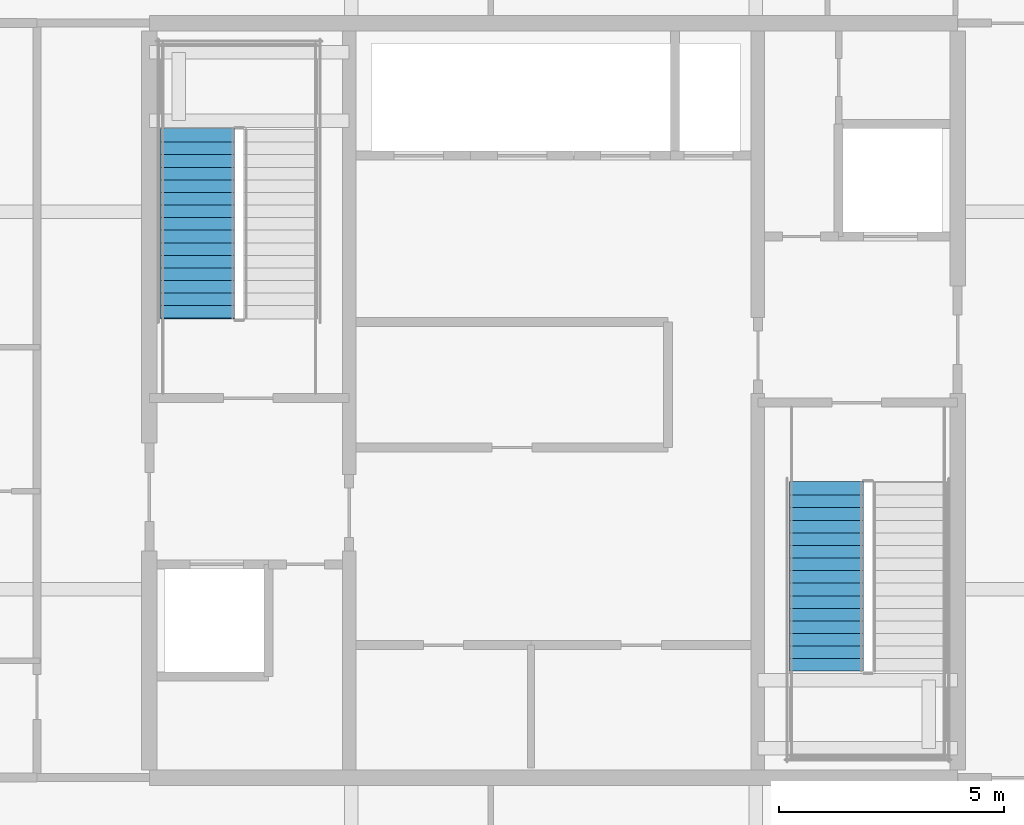
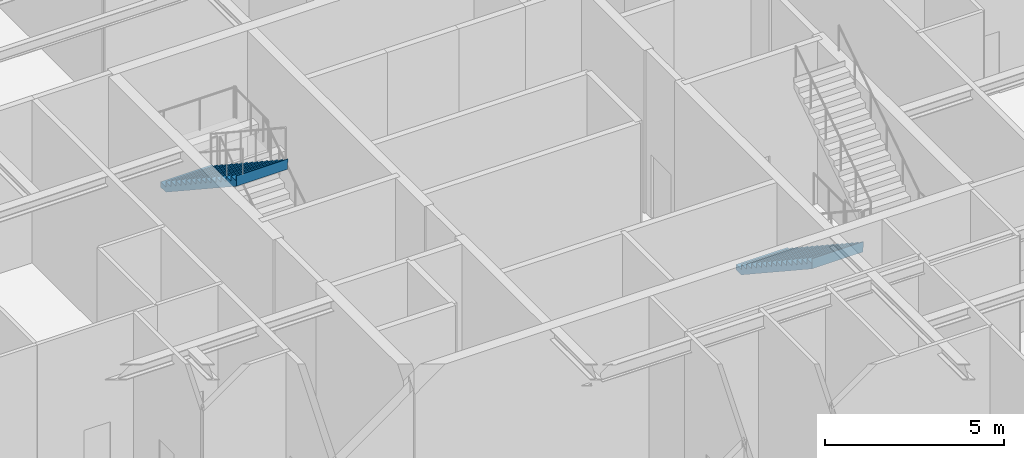
# One storey, part 31 of 38: 2 stair flights, 2 elements without a shape of their own.
"""IFC4 building model written with IfcOpenShell, lengths in metres."""

from ifc_helpers import new_model, si_unit, direction, frame, origin, place, context, subcontext, project, spatial, polygons, material, type_object, element, aggregate, save


model = new_model("IFC4")

# Units and contexts
model_context = context("Model", 3, precision=1e-05, world=origin(), true_north=direction((0.0, 1.0)))
body_context = subcontext(model_context, "Body", "Model", "MODEL_VIEW")
ifc_project = project(units=[si_unit("LENGTHUNIT", "METRE"), si_unit("AREAUNIT", "SQUARE_METRE"), si_unit("VOLUMEUNIT", "CUBIC_METRE"), si_unit("PLANEANGLEUNIT", "RADIAN"), si_unit("MASSUNIT", "GRAM", prefix="KILO")], contexts=[model_context])

# Site, building, storey
site_placement = place(None, origin())
site = spatial("IfcSite", under=ifc_project, at=site_placement, CompositionType="ELEMENT")
building_placement = place(site_placement, origin())
building = spatial("IfcBuilding", under=site, at=building_placement, Name="Serunith Strait Residences", CompositionType="ELEMENT")
storey_placement = place(building_placement, frame((0.0, 0.0, 353.85009765625)))
storey = spatial("IfcBuildingStorey", under=building, at=storey_placement, Name="L87", CompositionType="ELEMENT", Elevation=353.85009765625)

# Stair, stair flight
ifc_material = material(Name="Concrete C50/60", Category="concrete")
stair_type_1 = type_object("IfcStairType", Name="STR-CORE-1", PredefinedType="HALF_TURN_STAIR", material=ifc_material)
stair_1_placement = place(storey_placement, origin())
stair_1 = element("IfcStair", 1, at=stair_1_placement, inside=storey, type_object=stair_type_1, Name="L87 Protected Escape Stair ST-1", PredefinedType="HALF_TURN_STAIR")
stair_flight_type_1 = type_object("IfcStairFlightType", Name="FLT-CORE-1", PredefinedType="STRAIGHT", material=ifc_material)
stair_flight_1_placement = place(storey_placement, frame((24.47509765625, 31.22998046875, 2.949951171875), z_axis=(0.0, 0.0, 1.0), x_axis=(0.0, -1.0, 0.0)))
stair_flight_1 = element("IfcStairFlight", 2, at=stair_flight_1_placement, type_object=stair_flight_type_1, Name="ST-1 flight 2", NumberOfRisers=16, NumberOfTreads=15, PredefinedType="STRAIGHT", RiserHeight=0.184375, TreadLength=0.28, context=body_context, shape_type="Tessellation", body=[
    polygons([(-0.02001953125, -0.824951171875, 0.0), (-0.02001953125, -0.824951171875, 0.184326171875), (0.280029296875, -0.824951171875, 0.184326171875), (0.280029296875, -0.824951171875, 0.36865234375), (0.56005859375, -0.824951171875, 0.36865234375), (0.56005859375, -0.824951171875, 0.55322265625), (0.840087890625, -0.824951171875, 0.55322265625), (0.840087890625, -0.824951171875, 0.737548828125), (1.1201171875, -0.824951171875, 0.737548828125), (1.1201171875, -0.824951171875, 0.921875), (1.39990234375, -0.824951171875, 0.921875), (1.39990234375, -0.824951171875, 1.106201171875), (1.679931640625, -0.824951171875, 1.106201171875), (1.679931640625, -0.824951171875, 1.29052734375), (1.9599609375, -0.824951171875, 1.29052734375), (1.9599609375, -0.824951171875, 1.47509765625), (2.239990234375, -0.824951171875, 1.47509765625), (2.239990234375, -0.824951171875, 1.659423828125), (2.52001953125, -0.824951171875, 1.659423828125), (2.52001953125, -0.824951171875, 1.84375), (2.800048828125, -0.824951171875, 1.84375), (2.800048828125, -0.824951171875, 2.028076171875), (3.080078125, -0.824951171875, 2.028076171875), (3.080078125, -0.824951171875, 2.21240234375), (3.360107421875, -0.824951171875, 2.21240234375), (3.360107421875, -0.824951171875, 2.39697265625), (3.639892578125, -0.824951171875, 2.39697265625), (3.639892578125, -0.824951171875, 2.581298828125), (3.919921875, -0.824951171875, 2.581298828125), (3.919921875, -0.824951171875, 2.765625), (4.199951171875, -0.824951171875, 2.765625), (4.199951171875, -0.824951171875, 2.949951171875), (4.219970703125, -0.824951171875, 2.949951171875), (4.219970703125, -0.824951171875, 2.889892578125), (4.199951171875, -0.824951171875, 2.586181640625), (0.2724609375, -0.824951171875, 0.0), (-0.02001953125, -0.41259765625, 0.0), (-0.02001953125, -0.41259765625, 0.184326171875), (0.280029296875, -0.41259765625, 0.184326171875), (0.280029296875, -0.41259765625, 0.36865234375), (0.56005859375, -0.41259765625, 0.36865234375), (0.56005859375, -0.41259765625, 0.55322265625), (0.840087890625, -0.41259765625, 0.55322265625), (0.840087890625, -0.41259765625, 0.737548828125), (1.1201171875, -0.41259765625, 0.737548828125), (1.1201171875, -0.41259765625, 0.921875), (1.39990234375, -0.41259765625, 0.921875), (1.39990234375, -0.41259765625, 1.106201171875), (1.679931640625, -0.41259765625, 1.106201171875), (1.679931640625, -0.41259765625, 1.29052734375), (1.9599609375, -0.41259765625, 1.29052734375), (1.9599609375, -0.41259765625, 1.47509765625), (2.239990234375, -0.41259765625, 1.47509765625), (2.239990234375, -0.41259765625, 1.659423828125), (2.52001953125, -0.41259765625, 1.659423828125), (2.52001953125, -0.41259765625, 1.84375), (2.800048828125, -0.41259765625, 1.84375), (2.800048828125, -0.41259765625, 2.028076171875), (3.080078125, -0.41259765625, 2.028076171875), (3.080078125, -0.41259765625, 2.21240234375), (3.360107421875, -0.41259765625, 2.21240234375), (3.360107421875, -0.41259765625, 2.39697265625), (3.639892578125, -0.41259765625, 2.39697265625), (3.639892578125, -0.41259765625, 2.581298828125), (3.919921875, -0.41259765625, 2.581298828125), (3.919921875, -0.41259765625, 2.765625), (4.199951171875, -0.41259765625, 2.765625), (4.199951171875, -0.41259765625, 2.949951171875), (4.219970703125, -0.41259765625, 2.949951171875), (4.219970703125, -0.41259765625, 2.889892578125), (4.199951171875, -0.41259765625, 2.586181640625), (0.2724609375, -0.41259765625, 0.0), (-0.02001953125, 0.0, 0.0), (-0.02001953125, 0.0, 0.184326171875), (0.280029296875, 0.0, 0.184326171875), (0.280029296875, 0.0, 0.36865234375), (0.56005859375, 0.0, 0.36865234375), (0.56005859375, 0.0, 0.55322265625), (0.840087890625, 0.0, 0.55322265625), (0.840087890625, 0.0, 0.737548828125), (1.1201171875, 0.0, 0.737548828125), (1.1201171875, 0.0, 0.921875), (1.39990234375, 0.0, 0.921875), (1.39990234375, 0.0, 1.106201171875), (1.679931640625, 0.0, 1.106201171875), (1.679931640625, 0.0, 1.29052734375), (1.9599609375, 0.0, 1.29052734375), (1.9599609375, 0.0, 1.47509765625), (2.239990234375, 0.0, 1.47509765625), (2.239990234375, 0.0, 1.659423828125), (2.52001953125, 0.0, 1.659423828125), (2.52001953125, 0.0, 1.84375), (2.800048828125, 0.0, 1.84375), (2.800048828125, 0.0, 2.028076171875), (3.080078125, 0.0, 2.028076171875), (3.080078125, 0.0, 2.21240234375), (3.360107421875, 0.0, 2.21240234375), (3.360107421875, 0.0, 2.39697265625), (3.639892578125, 0.0, 2.39697265625), (3.639892578125, 0.0, 2.581298828125), (3.919921875, 0.0, 2.581298828125), (3.919921875, 0.0, 2.765625), (4.199951171875, 0.0, 2.765625), (4.199951171875, 0.0, 2.949951171875), (4.219970703125, 0.0, 2.949951171875), (4.219970703125, 0.0, 2.889892578125), (4.199951171875, 0.0, 2.586181640625), (0.2724609375, 0.0, 0.0), (-0.02001953125, 0.41259765625, 0.0), (-0.02001953125, 0.41259765625, 0.184326171875), (0.280029296875, 0.41259765625, 0.184326171875), (0.280029296875, 0.41259765625, 0.36865234375), (0.56005859375, 0.41259765625, 0.36865234375), (0.56005859375, 0.41259765625, 0.55322265625), (0.840087890625, 0.41259765625, 0.55322265625), (0.840087890625, 0.41259765625, 0.737548828125), (1.1201171875, 0.41259765625, 0.737548828125), (1.1201171875, 0.41259765625, 0.921875), (1.39990234375, 0.41259765625, 0.921875), (1.39990234375, 0.41259765625, 1.106201171875), (1.679931640625, 0.41259765625, 1.106201171875), (1.679931640625, 0.41259765625, 1.29052734375), (1.9599609375, 0.41259765625, 1.29052734375), (1.9599609375, 0.41259765625, 1.47509765625), (2.239990234375, 0.41259765625, 1.47509765625), (2.239990234375, 0.41259765625, 1.659423828125), (2.52001953125, 0.41259765625, 1.659423828125), (2.52001953125, 0.41259765625, 1.84375), (2.800048828125, 0.41259765625, 1.84375), (2.800048828125, 0.41259765625, 2.028076171875), (3.080078125, 0.41259765625, 2.028076171875), (3.080078125, 0.41259765625, 2.21240234375), (3.360107421875, 0.41259765625, 2.21240234375), (3.360107421875, 0.41259765625, 2.39697265625), (3.639892578125, 0.41259765625, 2.39697265625), (3.639892578125, 0.41259765625, 2.581298828125), (3.919921875, 0.41259765625, 2.581298828125), (3.919921875, 0.41259765625, 2.765625), (4.199951171875, 0.41259765625, 2.765625), (4.199951171875, 0.41259765625, 2.949951171875), (4.219970703125, 0.41259765625, 2.949951171875), (4.219970703125, 0.41259765625, 2.889892578125), (4.199951171875, 0.41259765625, 2.586181640625), (0.2724609375, 0.41259765625, 0.0), (-0.02001953125, 0.824951171875, 0.0), (-0.02001953125, 0.824951171875, 0.184326171875), (0.280029296875, 0.824951171875, 0.184326171875), (0.280029296875, 0.824951171875, 0.36865234375), (0.56005859375, 0.824951171875, 0.36865234375), (0.56005859375, 0.824951171875, 0.55322265625), (0.840087890625, 0.824951171875, 0.55322265625), (0.840087890625, 0.824951171875, 0.737548828125), (1.1201171875, 0.824951171875, 0.737548828125), (1.1201171875, 0.824951171875, 0.921875), (1.39990234375, 0.824951171875, 0.921875), (1.39990234375, 0.824951171875, 1.106201171875), (1.679931640625, 0.824951171875, 1.106201171875), (1.679931640625, 0.824951171875, 1.29052734375), (1.9599609375, 0.824951171875, 1.29052734375), (1.9599609375, 0.824951171875, 1.47509765625), (2.239990234375, 0.824951171875, 1.47509765625), (2.239990234375, 0.824951171875, 1.659423828125), (2.52001953125, 0.824951171875, 1.659423828125), (2.52001953125, 0.824951171875, 1.84375), (2.800048828125, 0.824951171875, 1.84375), (2.800048828125, 0.824951171875, 2.028076171875), (3.080078125, 0.824951171875, 2.028076171875), (3.080078125, 0.824951171875, 2.21240234375), (3.360107421875, 0.824951171875, 2.21240234375), (3.360107421875, 0.824951171875, 2.39697265625), (3.639892578125, 0.824951171875, 2.39697265625), (3.639892578125, 0.824951171875, 2.581298828125), (3.919921875, 0.824951171875, 2.581298828125), (3.919921875, 0.824951171875, 2.765625), (4.199951171875, 0.824951171875, 2.765625), (4.199951171875, 0.824951171875, 2.949951171875), (4.219970703125, 0.824951171875, 2.949951171875), (4.219970703125, 0.824951171875, 2.889892578125), (4.199951171875, 0.824951171875, 2.586181640625), (0.2724609375, 0.824951171875, 0.0)], [[[1, 2, 38, 37]], [[2, 3, 39, 38]], [[3, 4, 40, 39]], [[4, 5, 41, 40]], [[5, 6, 42, 41]], [[6, 7, 43, 42]], [[7, 8, 44, 43]], [[8, 9, 45, 44]], [[9, 10, 46, 45]], [[10, 11, 47, 46]], [[11, 12, 48, 47]], [[12, 13, 49, 48]], [[13, 14, 50, 49]], [[14, 15, 51, 50]], [[15, 16, 52, 51]], [[16, 17, 53, 52]], [[17, 18, 54, 53]], [[18, 19, 55, 54]], [[19, 20, 56, 55]], [[20, 21, 57, 56]], [[21, 22, 58, 57]], [[22, 23, 59, 58]], [[23, 24, 60, 59]], [[24, 25, 61, 60]], [[25, 26, 62, 61]], [[26, 27, 63, 62]], [[27, 28, 64, 63]], [[28, 29, 65, 64]], [[29, 30, 66, 65]], [[30, 31, 67, 66]], [[31, 32, 68, 67]], [[32, 33, 69, 68]], [[33, 34, 70, 69]], [[34, 35, 71, 70]], [[35, 36, 72, 71]], [[36, 1, 37, 72]], [[37, 38, 74, 73]], [[38, 39, 75, 74]], [[39, 40, 76, 75]], [[40, 41, 77, 76]], [[41, 42, 78, 77]], [[42, 43, 79, 78]], [[43, 44, 80, 79]], [[44, 45, 81, 80]], [[45, 46, 82, 81]], [[46, 47, 83, 82]], [[47, 48, 84, 83]], [[48, 49, 85, 84]], [[49, 50, 86, 85]], [[50, 51, 87, 86]], [[51, 52, 88, 87]], [[52, 53, 89, 88]], [[53, 54, 90, 89]], [[54, 55, 91, 90]], [[55, 56, 92, 91]], [[56, 57, 93, 92]], [[57, 58, 94, 93]], [[58, 59, 95, 94]], [[59, 60, 96, 95]], [[60, 61, 97, 96]], [[61, 62, 98, 97]], [[62, 63, 99, 98]], [[63, 64, 100, 99]], [[64, 65, 101, 100]], [[65, 66, 102, 101]], [[66, 67, 103, 102]], [[67, 68, 104, 103]], [[68, 69, 105, 104]], [[69, 70, 106, 105]], [[70, 71, 107, 106]], [[71, 72, 108, 107]], [[72, 37, 73, 108]], [[73, 74, 110, 109]], [[74, 75, 111, 110]], [[75, 76, 112, 111]], [[76, 77, 113, 112]], [[77, 78, 114, 113]], [[78, 79, 115, 114]], [[79, 80, 116, 115]], [[80, 81, 117, 116]], [[81, 82, 118, 117]], [[82, 83, 119, 118]], [[83, 84, 120, 119]], [[84, 85, 121, 120]], [[85, 86, 122, 121]], [[86, 87, 123, 122]], [[87, 88, 124, 123]], [[88, 89, 125, 124]], [[89, 90, 126, 125]], [[90, 91, 127, 126]], [[91, 92, 128, 127]], [[92, 93, 129, 128]], [[93, 94, 130, 129]], [[94, 95, 131, 130]], [[95, 96, 132, 131]], [[96, 97, 133, 132]], [[97, 98, 134, 133]], [[98, 99, 135, 134]], [[99, 100, 136, 135]], [[100, 101, 137, 136]], [[101, 102, 138, 137]], [[102, 103, 139, 138]], [[103, 104, 140, 139]], [[104, 105, 141, 140]], [[105, 106, 142, 141]], [[106, 107, 143, 142]], [[107, 108, 144, 143]], [[108, 73, 109, 144]], [[109, 110, 146, 145]], [[110, 111, 147, 146]], [[111, 112, 148, 147]], [[112, 113, 149, 148]], [[113, 114, 150, 149]], [[114, 115, 151, 150]], [[115, 116, 152, 151]], [[116, 117, 153, 152]], [[117, 118, 154, 153]], [[118, 119, 155, 154]], [[119, 120, 156, 155]], [[120, 121, 157, 156]], [[121, 122, 158, 157]], [[122, 123, 159, 158]], [[123, 124, 160, 159]], [[124, 125, 161, 160]], [[125, 126, 162, 161]], [[126, 127, 163, 162]], [[127, 128, 164, 163]], [[128, 129, 165, 164]], [[129, 130, 166, 165]], [[130, 131, 167, 166]], [[131, 132, 168, 167]], [[132, 133, 169, 168]], [[133, 134, 170, 169]], [[134, 135, 171, 170]], [[135, 136, 172, 171]], [[136, 137, 173, 172]], [[137, 138, 174, 173]], [[138, 139, 175, 174]], [[139, 140, 176, 175]], [[140, 141, 177, 176]], [[141, 142, 178, 177]], [[142, 143, 179, 178]], [[143, 144, 180, 179]], [[144, 109, 145, 180]], [[36, 35, 34, 33, 32, 31, 30, 29, 28, 27, 26, 25, 24, 23, 22, 21, 20, 19, 18, 17, 16, 15, 14, 13, 12, 11, 10, 9, 8, 7, 6, 5, 4, 3, 2, 1]], [[145, 146, 147, 148, 149, 150, 151, 152, 153, 154, 155, 156, 157, 158, 159, 160, 161, 162, 163, 164, 165, 166, 167, 168, 169, 170, 171, 172, 173, 174, 175, 176, 177, 178, 179, 180]]], closed=True),
])
aggregate(stair_1, [stair_flight_1])

stair_type_2 = type_object("IfcStairType", Name="STR-CORE-2", PredefinedType="HALF_TURN_STAIR", material=ifc_material)
stair_2_placement = place(storey_placement, origin())
stair_2 = element("IfcStair", 3, at=stair_2_placement, inside=storey, type_object=stair_type_2, Name="L87 Protected Escape Stair ST-2", PredefinedType="HALF_TURN_STAIR")
stair_flight_type_2 = type_object("IfcStairFlightType", Name="FLT-CORE-2", PredefinedType="STRAIGHT", material=ifc_material)
stair_flight_2_placement = place(storey_placement, frame((38.47509765625, 23.3701171875, 0.0), z_axis=(0.0, 0.0, 1.0), x_axis=(0.0, -1.0, 0.0)))
stair_flight_2 = element("IfcStairFlight", 4, at=stair_flight_2_placement, type_object=stair_flight_type_2, Name="ST-2 flight 1", NumberOfRisers=16, NumberOfTreads=15, PredefinedType="STRAIGHT", RiserHeight=0.184375, TreadLength=0.28, context=body_context, shape_type="Tessellation", body=[
    polygons([(-0.02001953125, -0.824951171875, 0.0), (-0.02001953125, -0.824951171875, 0.184326171875), (0.280029296875, -0.824951171875, 0.184326171875), (0.280029296875, -0.824951171875, 0.36865234375), (0.56005859375, -0.824951171875, 0.36865234375), (0.56005859375, -0.824951171875, 0.55322265625), (0.840087890625, -0.824951171875, 0.55322265625), (0.840087890625, -0.824951171875, 0.737548828125), (1.1201171875, -0.824951171875, 0.737548828125), (1.1201171875, -0.824951171875, 0.921875), (1.39990234375, -0.824951171875, 0.921875), (1.39990234375, -0.824951171875, 1.106201171875), (1.679931640625, -0.824951171875, 1.106201171875), (1.679931640625, -0.824951171875, 1.29052734375), (1.9599609375, -0.824951171875, 1.29052734375), (1.9599609375, -0.824951171875, 1.47509765625), (2.239990234375, -0.824951171875, 1.47509765625), (2.239990234375, -0.824951171875, 1.659423828125), (2.52001953125, -0.824951171875, 1.659423828125), (2.52001953125, -0.824951171875, 1.84375), (2.800048828125, -0.824951171875, 1.84375), (2.800048828125, -0.824951171875, 2.028076171875), (3.080078125, -0.824951171875, 2.028076171875), (3.080078125, -0.824951171875, 2.21240234375), (3.360107421875, -0.824951171875, 2.21240234375), (3.360107421875, -0.824951171875, 2.39697265625), (3.639892578125, -0.824951171875, 2.39697265625), (3.639892578125, -0.824951171875, 2.581298828125), (3.919921875, -0.824951171875, 2.581298828125), (3.919921875, -0.824951171875, 2.765625), (4.199951171875, -0.824951171875, 2.765625), (4.199951171875, -0.824951171875, 2.949951171875), (4.219970703125, -0.824951171875, 2.949951171875), (4.219970703125, -0.824951171875, 2.889892578125), (4.199951171875, -0.824951171875, 2.586181640625), (0.2724609375, -0.824951171875, 0.0), (-0.02001953125, -0.41259765625, 0.0), (-0.02001953125, -0.41259765625, 0.184326171875), (0.280029296875, -0.41259765625, 0.184326171875), (0.280029296875, -0.41259765625, 0.36865234375), (0.56005859375, -0.41259765625, 0.36865234375), (0.56005859375, -0.41259765625, 0.55322265625), (0.840087890625, -0.41259765625, 0.55322265625), (0.840087890625, -0.41259765625, 0.737548828125), (1.1201171875, -0.41259765625, 0.737548828125), (1.1201171875, -0.41259765625, 0.921875), (1.39990234375, -0.41259765625, 0.921875), (1.39990234375, -0.41259765625, 1.106201171875), (1.679931640625, -0.41259765625, 1.106201171875), (1.679931640625, -0.41259765625, 1.29052734375), (1.9599609375, -0.41259765625, 1.29052734375), (1.9599609375, -0.41259765625, 1.47509765625), (2.239990234375, -0.41259765625, 1.47509765625), (2.239990234375, -0.41259765625, 1.659423828125), (2.52001953125, -0.41259765625, 1.659423828125), (2.52001953125, -0.41259765625, 1.84375), (2.800048828125, -0.41259765625, 1.84375), (2.800048828125, -0.41259765625, 2.028076171875), (3.080078125, -0.41259765625, 2.028076171875), (3.080078125, -0.41259765625, 2.21240234375), (3.360107421875, -0.41259765625, 2.21240234375), (3.360107421875, -0.41259765625, 2.39697265625), (3.639892578125, -0.41259765625, 2.39697265625), (3.639892578125, -0.41259765625, 2.581298828125), (3.919921875, -0.41259765625, 2.581298828125), (3.919921875, -0.41259765625, 2.765625), (4.199951171875, -0.41259765625, 2.765625), (4.199951171875, -0.41259765625, 2.949951171875), (4.219970703125, -0.41259765625, 2.949951171875), (4.219970703125, -0.41259765625, 2.889892578125), (4.199951171875, -0.41259765625, 2.586181640625), (0.2724609375, -0.41259765625, 0.0), (-0.02001953125, 0.0, 0.0), (-0.02001953125, 0.0, 0.184326171875), (0.280029296875, 0.0, 0.184326171875), (0.280029296875, 0.0, 0.36865234375), (0.56005859375, 0.0, 0.36865234375), (0.56005859375, 0.0, 0.55322265625), (0.840087890625, 0.0, 0.55322265625), (0.840087890625, 0.0, 0.737548828125), (1.1201171875, 0.0, 0.737548828125), (1.1201171875, 0.0, 0.921875), (1.39990234375, 0.0, 0.921875), (1.39990234375, 0.0, 1.106201171875), (1.679931640625, 0.0, 1.106201171875), (1.679931640625, 0.0, 1.29052734375), (1.9599609375, 0.0, 1.29052734375), (1.9599609375, 0.0, 1.47509765625), (2.239990234375, 0.0, 1.47509765625), (2.239990234375, 0.0, 1.659423828125), (2.52001953125, 0.0, 1.659423828125), (2.52001953125, 0.0, 1.84375), (2.800048828125, 0.0, 1.84375), (2.800048828125, 0.0, 2.028076171875), (3.080078125, 0.0, 2.028076171875), (3.080078125, 0.0, 2.21240234375), (3.360107421875, 0.0, 2.21240234375), (3.360107421875, 0.0, 2.39697265625), (3.639892578125, 0.0, 2.39697265625), (3.639892578125, 0.0, 2.581298828125), (3.919921875, 0.0, 2.581298828125), (3.919921875, 0.0, 2.765625), (4.199951171875, 0.0, 2.765625), (4.199951171875, 0.0, 2.949951171875), (4.219970703125, 0.0, 2.949951171875), (4.219970703125, 0.0, 2.889892578125), (4.199951171875, 0.0, 2.586181640625), (0.2724609375, 0.0, 0.0), (-0.02001953125, 0.41259765625, 0.0), (-0.02001953125, 0.41259765625, 0.184326171875), (0.280029296875, 0.41259765625, 0.184326171875), (0.280029296875, 0.41259765625, 0.36865234375), (0.56005859375, 0.41259765625, 0.36865234375), (0.56005859375, 0.41259765625, 0.55322265625), (0.840087890625, 0.41259765625, 0.55322265625), (0.840087890625, 0.41259765625, 0.737548828125), (1.1201171875, 0.41259765625, 0.737548828125), (1.1201171875, 0.41259765625, 0.921875), (1.39990234375, 0.41259765625, 0.921875), (1.39990234375, 0.41259765625, 1.106201171875), (1.679931640625, 0.41259765625, 1.106201171875), (1.679931640625, 0.41259765625, 1.29052734375), (1.9599609375, 0.41259765625, 1.29052734375), (1.9599609375, 0.41259765625, 1.47509765625), (2.239990234375, 0.41259765625, 1.47509765625), (2.239990234375, 0.41259765625, 1.659423828125), (2.52001953125, 0.41259765625, 1.659423828125), (2.52001953125, 0.41259765625, 1.84375), (2.800048828125, 0.41259765625, 1.84375), (2.800048828125, 0.41259765625, 2.028076171875), (3.080078125, 0.41259765625, 2.028076171875), (3.080078125, 0.41259765625, 2.21240234375), (3.360107421875, 0.41259765625, 2.21240234375), (3.360107421875, 0.41259765625, 2.39697265625), (3.639892578125, 0.41259765625, 2.39697265625), (3.639892578125, 0.41259765625, 2.581298828125), (3.919921875, 0.41259765625, 2.581298828125), (3.919921875, 0.41259765625, 2.765625), (4.199951171875, 0.41259765625, 2.765625), (4.199951171875, 0.41259765625, 2.949951171875), (4.219970703125, 0.41259765625, 2.949951171875), (4.219970703125, 0.41259765625, 2.889892578125), (4.199951171875, 0.41259765625, 2.586181640625), (0.2724609375, 0.41259765625, 0.0), (-0.02001953125, 0.824951171875, 0.0), (-0.02001953125, 0.824951171875, 0.184326171875), (0.280029296875, 0.824951171875, 0.184326171875), (0.280029296875, 0.824951171875, 0.36865234375), (0.56005859375, 0.824951171875, 0.36865234375), (0.56005859375, 0.824951171875, 0.55322265625), (0.840087890625, 0.824951171875, 0.55322265625), (0.840087890625, 0.824951171875, 0.737548828125), (1.1201171875, 0.824951171875, 0.737548828125), (1.1201171875, 0.824951171875, 0.921875), (1.39990234375, 0.824951171875, 0.921875), (1.39990234375, 0.824951171875, 1.106201171875), (1.679931640625, 0.824951171875, 1.106201171875), (1.679931640625, 0.824951171875, 1.29052734375), (1.9599609375, 0.824951171875, 1.29052734375), (1.9599609375, 0.824951171875, 1.47509765625), (2.239990234375, 0.824951171875, 1.47509765625), (2.239990234375, 0.824951171875, 1.659423828125), (2.52001953125, 0.824951171875, 1.659423828125), (2.52001953125, 0.824951171875, 1.84375), (2.800048828125, 0.824951171875, 1.84375), (2.800048828125, 0.824951171875, 2.028076171875), (3.080078125, 0.824951171875, 2.028076171875), (3.080078125, 0.824951171875, 2.21240234375), (3.360107421875, 0.824951171875, 2.21240234375), (3.360107421875, 0.824951171875, 2.39697265625), (3.639892578125, 0.824951171875, 2.39697265625), (3.639892578125, 0.824951171875, 2.581298828125), (3.919921875, 0.824951171875, 2.581298828125), (3.919921875, 0.824951171875, 2.765625), (4.199951171875, 0.824951171875, 2.765625), (4.199951171875, 0.824951171875, 2.949951171875), (4.219970703125, 0.824951171875, 2.949951171875), (4.219970703125, 0.824951171875, 2.889892578125), (4.199951171875, 0.824951171875, 2.586181640625), (0.2724609375, 0.824951171875, 0.0)], [[[1, 2, 38, 37]], [[2, 3, 39, 38]], [[3, 4, 40, 39]], [[4, 5, 41, 40]], [[5, 6, 42, 41]], [[6, 7, 43, 42]], [[7, 8, 44, 43]], [[8, 9, 45, 44]], [[9, 10, 46, 45]], [[10, 11, 47, 46]], [[11, 12, 48, 47]], [[12, 13, 49, 48]], [[13, 14, 50, 49]], [[14, 15, 51, 50]], [[15, 16, 52, 51]], [[16, 17, 53, 52]], [[17, 18, 54, 53]], [[18, 19, 55, 54]], [[19, 20, 56, 55]], [[20, 21, 57, 56]], [[21, 22, 58, 57]], [[22, 23, 59, 58]], [[23, 24, 60, 59]], [[24, 25, 61, 60]], [[25, 26, 62, 61]], [[26, 27, 63, 62]], [[27, 28, 64, 63]], [[28, 29, 65, 64]], [[29, 30, 66, 65]], [[30, 31, 67, 66]], [[31, 32, 68, 67]], [[32, 33, 69, 68]], [[33, 34, 70, 69]], [[34, 35, 71, 70]], [[35, 36, 72, 71]], [[36, 1, 37, 72]], [[37, 38, 74, 73]], [[38, 39, 75, 74]], [[39, 40, 76, 75]], [[40, 41, 77, 76]], [[41, 42, 78, 77]], [[42, 43, 79, 78]], [[43, 44, 80, 79]], [[44, 45, 81, 80]], [[45, 46, 82, 81]], [[46, 47, 83, 82]], [[47, 48, 84, 83]], [[48, 49, 85, 84]], [[49, 50, 86, 85]], [[50, 51, 87, 86]], [[51, 52, 88, 87]], [[52, 53, 89, 88]], [[53, 54, 90, 89]], [[54, 55, 91, 90]], [[55, 56, 92, 91]], [[56, 57, 93, 92]], [[57, 58, 94, 93]], [[58, 59, 95, 94]], [[59, 60, 96, 95]], [[60, 61, 97, 96]], [[61, 62, 98, 97]], [[62, 63, 99, 98]], [[63, 64, 100, 99]], [[64, 65, 101, 100]], [[65, 66, 102, 101]], [[66, 67, 103, 102]], [[67, 68, 104, 103]], [[68, 69, 105, 104]], [[69, 70, 106, 105]], [[70, 71, 107, 106]], [[71, 72, 108, 107]], [[72, 37, 73, 108]], [[73, 74, 110, 109]], [[74, 75, 111, 110]], [[75, 76, 112, 111]], [[76, 77, 113, 112]], [[77, 78, 114, 113]], [[78, 79, 115, 114]], [[79, 80, 116, 115]], [[80, 81, 117, 116]], [[81, 82, 118, 117]], [[82, 83, 119, 118]], [[83, 84, 120, 119]], [[84, 85, 121, 120]], [[85, 86, 122, 121]], [[86, 87, 123, 122]], [[87, 88, 124, 123]], [[88, 89, 125, 124]], [[89, 90, 126, 125]], [[90, 91, 127, 126]], [[91, 92, 128, 127]], [[92, 93, 129, 128]], [[93, 94, 130, 129]], [[94, 95, 131, 130]], [[95, 96, 132, 131]], [[96, 97, 133, 132]], [[97, 98, 134, 133]], [[98, 99, 135, 134]], [[99, 100, 136, 135]], [[100, 101, 137, 136]], [[101, 102, 138, 137]], [[102, 103, 139, 138]], [[103, 104, 140, 139]], [[104, 105, 141, 140]], [[105, 106, 142, 141]], [[106, 107, 143, 142]], [[107, 108, 144, 143]], [[108, 73, 109, 144]], [[109, 110, 146, 145]], [[110, 111, 147, 146]], [[111, 112, 148, 147]], [[112, 113, 149, 148]], [[113, 114, 150, 149]], [[114, 115, 151, 150]], [[115, 116, 152, 151]], [[116, 117, 153, 152]], [[117, 118, 154, 153]], [[118, 119, 155, 154]], [[119, 120, 156, 155]], [[120, 121, 157, 156]], [[121, 122, 158, 157]], [[122, 123, 159, 158]], [[123, 124, 160, 159]], [[124, 125, 161, 160]], [[125, 126, 162, 161]], [[126, 127, 163, 162]], [[127, 128, 164, 163]], [[128, 129, 165, 164]], [[129, 130, 166, 165]], [[130, 131, 167, 166]], [[131, 132, 168, 167]], [[132, 133, 169, 168]], [[133, 134, 170, 169]], [[134, 135, 171, 170]], [[135, 136, 172, 171]], [[136, 137, 173, 172]], [[137, 138, 174, 173]], [[138, 139, 175, 174]], [[139, 140, 176, 175]], [[140, 141, 177, 176]], [[141, 142, 178, 177]], [[142, 143, 179, 178]], [[143, 144, 180, 179]], [[144, 109, 145, 180]], [[36, 35, 34, 33, 32, 31, 30, 29, 28, 27, 26, 25, 24, 23, 22, 21, 20, 19, 18, 17, 16, 15, 14, 13, 12, 11, 10, 9, 8, 7, 6, 5, 4, 3, 2, 1]], [[145, 146, 147, 148, 149, 150, 151, 152, 153, 154, 155, 156, 157, 158, 159, 160, 161, 162, 163, 164, 165, 166, 167, 168, 169, 170, 171, 172, 173, 174, 175, 176, 177, 178, 179, 180]]], closed=True),
])
aggregate(stair_2, [stair_flight_2])

save(model, "model.ifc")
